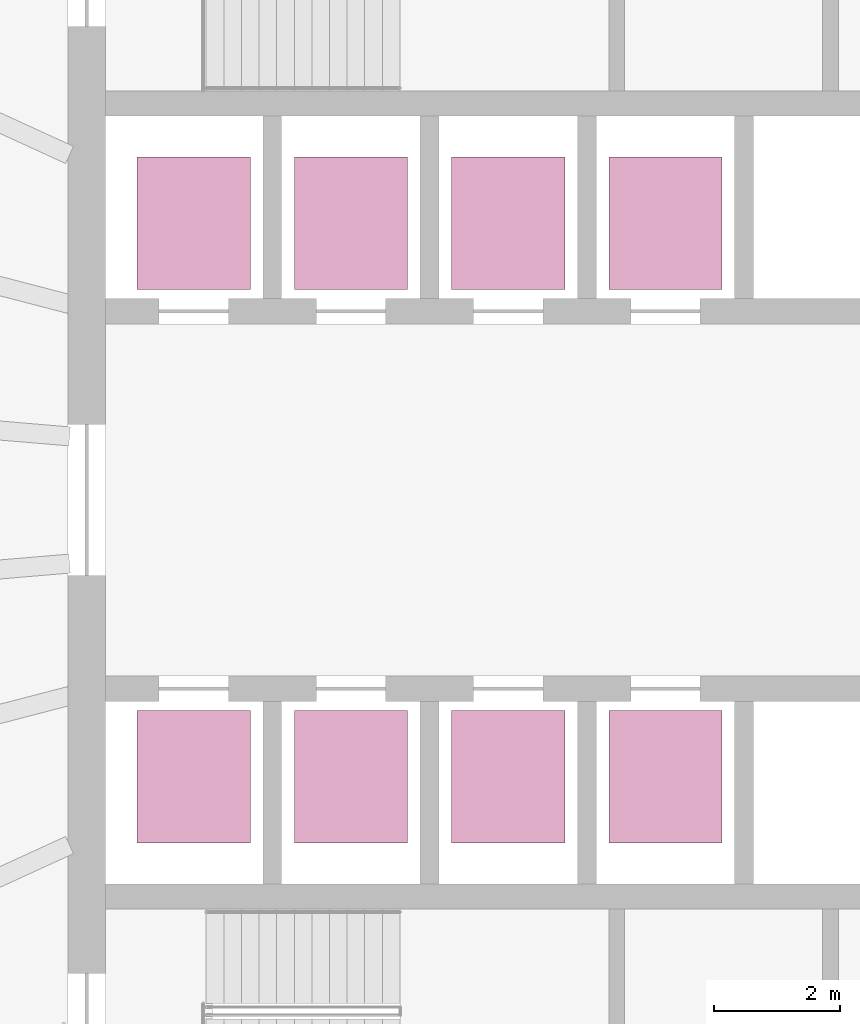
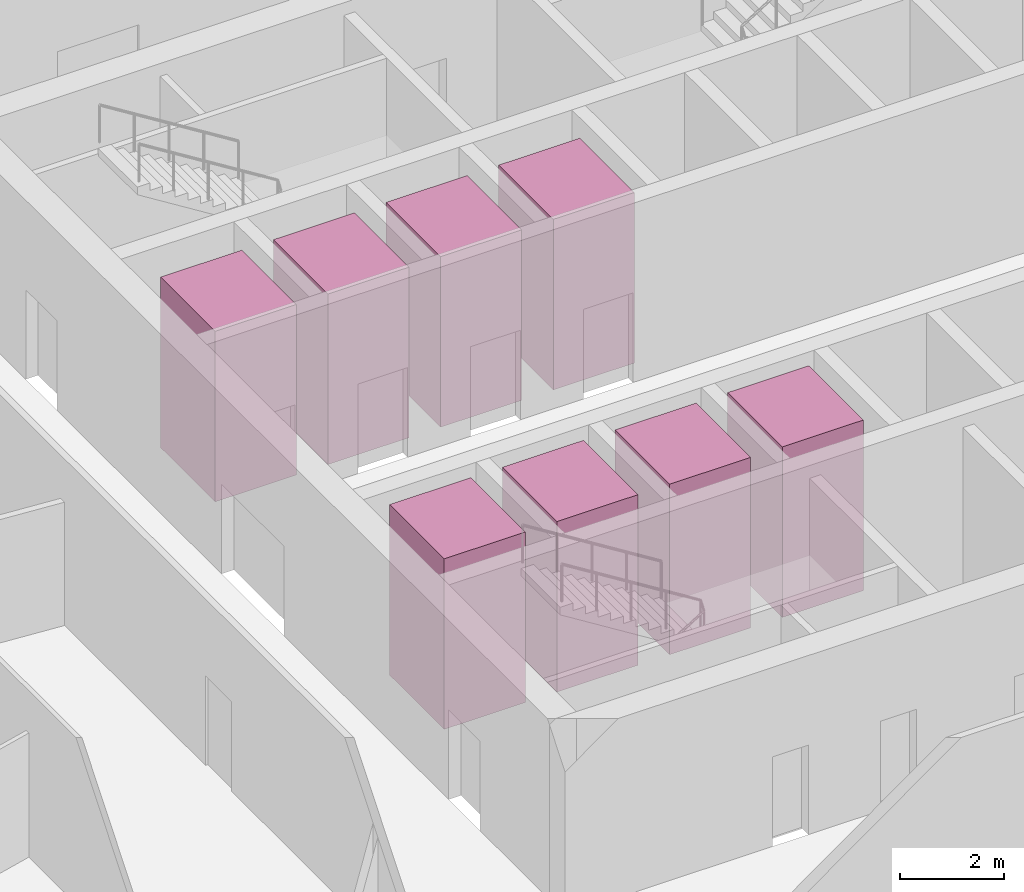
# One storey, part 11 of 11: 8 transport elements.
"""IFC4 building model written with IfcOpenShell, lengths in metres."""

import ifcopenshell
import ifcopenshell.guid

model = None  # the IFC model being written
_history = None  # IfcOwnerHistory: only IFC2X3 demands one
_inside = {}  # id of a spatial element -> (the spatial element, [elements in it])
_under = {}  # id of a project, library or spatial element -> (it, [spatial elements below it])
_declared = {}  # id of a project -> (the project, [libraries it declares])
_typed = {}  # id of a type object -> (the type object, [elements of that type])
_made_of = {}  # id of a material, layer set ... -> (it, [elements and type objects made of it])


def new_model(schema):
    """Start an empty IFC model of exactly this schema.

    Asked for "IFC4X3", IfcOpenShell would pick the latest addendum, in which some entities
    have other attributes; the version numbers below select the first issue.
    IFC2X3 requires an IfcOwnerHistory on every rooted entity: one is made here for all.
    """
    global model, _history
    if schema == "IFC4X3":
        model = ifcopenshell.file(schema_version=(4, 3, 0, 0))
    else:
        model = ifcopenshell.file(schema=schema)
    _inside.clear()
    _under.clear()
    _declared.clear()
    _typed.clear()
    _made_of.clear()
    _history = None
    if model.schema == "IFC2X3":
        org = make("IfcOrganization", Name="unknown")
        user = make(
            "IfcPersonAndOrganization",
            ThePerson=make("IfcPerson", FamilyName="unknown"),
            TheOrganization=org,
        )
        app = make(
            "IfcApplication",
            ApplicationDeveloper=org,
            Version="unknown",
            ApplicationFullName="unknown",
            ApplicationIdentifier="unknown",
        )
        _history = make(
            "IfcOwnerHistory",
            OwningUser=user,
            OwningApplication=app,
            ChangeAction="ADDED",
            CreationDate=0,
        )
    return model


def make(cls, **values):
    """One entity of the class cls with the attributes given. An attribute that is None is left unset."""
    return model.create_entity(
        cls, **{name: value for name, value in values.items() if value is not None}
    )


def rooted(cls, **values):
    """An entity with a GlobalId (a new one), such as an element, a storey or a relation."""
    return make(cls, GlobalId=ifcopenshell.guid.new(), OwnerHistory=_history, **values)


def si_unit(unit_type, name, prefix=None):
    """IfcSIUnit, for example si_unit("LENGTHUNIT", "METRE", prefix="MILLI")."""
    return make("IfcSIUnit", UnitType=unit_type, Prefix=prefix, Name=name)


def assignment(units):
    """IfcUnitAssignment: the units of a project."""
    return None if units is None else make("IfcUnitAssignment", Units=units)


def point(xyz):
    """IfcCartesianPoint."""
    return None if xyz is None else make("IfcCartesianPoint", Coordinates=xyz)


def direction(xyz):
    """IfcDirection."""
    return None if xyz is None else make("IfcDirection", DirectionRatios=xyz)


def frame(location, z_axis=None, x_axis=None):
    """IfcAxis2Placement3D, a coordinate frame: its origin and axes. An axis left out is left unset."""
    return make(
        "IfcAxis2Placement3D",
        Location=point(location),
        Axis=direction(z_axis),
        RefDirection=direction(x_axis),
    )


def frame_2d(location, x_axis=None):
    """IfcAxis2Placement2D, a coordinate frame in the plane: its origin and x axis."""
    return make(
        "IfcAxis2Placement2D", Location=point(location), RefDirection=direction(x_axis)
    )


def origin():
    """The frame at (0, 0, 0) with its axes left unset."""
    return frame((0.0, 0.0, 0.0))


def origin_2d():
    """The frame at (0, 0) in the plane with its x axis left unset."""
    return frame_2d((0.0, 0.0))


def place(relative_to, where):
    """IfcLocalPlacement: puts the frame where relative to a parent placement (None: the world)."""
    return make(
        "IfcLocalPlacement", PlacementRelTo=relative_to, RelativePlacement=where
    )


def context(
    kind, dimensions, precision=None, world=None, true_north=None, identifier=None
):
    """IfcGeometricRepresentationContext, for example the 3D "Model" context."""
    return make(
        "IfcGeometricRepresentationContext",
        ContextIdentifier=identifier,
        ContextType=kind,
        CoordinateSpaceDimension=dimensions,
        Precision=precision,
        WorldCoordinateSystem=world,
        TrueNorth=true_north,
    )


def subcontext(parent, identifier, kind, view, scale=None):
    """IfcGeometricRepresentationSubContext, for example "Body" below "Model"."""
    return make(
        "IfcGeometricRepresentationSubContext",
        ContextIdentifier=identifier,
        ContextType=kind,
        ParentContext=parent,
        TargetScale=scale,
        TargetView=view,
    )


def project(units=None, contexts=None):
    """IfcProject with its units and contexts."""
    return rooted(
        "IfcProject",
        Name="project",
        RepresentationContexts=contexts,
        UnitsInContext=assignment(units),
    )


def spatial(cls, under=None, at=None, **own):
    """A site, building, storey or space (cls), placed at a placement, below another one or the project."""
    s = rooted(cls, ObjectPlacement=at, **own)
    if under is not None:
        _under.setdefault(under.id(), (under, []))[1].append(s)
    return s


def profile(cls, at=None, kind="AREA", **sizes):
    """A parametric profile (cls). Its sizes go by their IFC names, for example OverallWidth=200.0."""
    return make(cls, ProfileType=kind, Position=at, **sizes)


def rectangle(**sizes):
    """IfcRectangleProfileDef."""
    return profile("IfcRectangleProfileDef", **sizes)


def extrude(swept, where, along, depth):
    """IfcExtrudedAreaSolid: the profile swept, set in the frame where, extruded along a direction by depth."""
    return make(
        "IfcExtrudedAreaSolid",
        SweptArea=swept,
        Position=where,
        ExtrudedDirection=direction(along),
        Depth=depth,
    )


def shape(context_of_items, identifier, shape_type, items):
    """IfcShapeRepresentation: the items that make up one representation, for example the "Body"."""
    return make(
        "IfcShapeRepresentation",
        ContextOfItems=context_of_items,
        RepresentationIdentifier=identifier,
        RepresentationType=shape_type,
        Items=items,
    )


def material(Name=None, Category=None):
    """IfcMaterial."""
    return make("IfcMaterial", Name=Name, Category=Category)


def made_of(thing, what):
    """Note that an element or type object is made of a material, layer set ...; save() writes the relation."""
    if what is not None:
        _made_of.setdefault(what.id(), (what, []))[1].append(thing)
    return thing


def type_object(cls, material=None, **own):
    """A type object (cls), such as IfcWallType, which elements share."""
    return made_of(rooted(cls, **own), material)


def element(
    cls,
    number,
    at=None,
    inside=None,
    cuts=None,
    type_object=None,
    material=None,
    context=None,
    identifier="Body",
    shape_type=None,
    held_by="IfcProductDefinitionShape",
    body=None,
    shapes=None,
    **own,
):
    """One element of the class cls, such as IfcWall. Its Tag is "e" and its number.

    at: its placement. inside: the storey or other place that contains it. cuts: it is an
    opening in that element (IfcRelVoidsElement). A single representation is given by context,
    identifier, shape_type and body (its items); several are given by shapes. held_by: the class
    of the entity that holds the representations. save() writes the other relations.
    """
    e = rooted(cls, Tag="e%d" % number, ObjectPlacement=at, **own)
    if body is not None:
        shapes = [shape(context, identifier, shape_type, body)]
    if shapes is not None:
        e.Representation = make(held_by, Representations=shapes)
    if inside is not None:
        _inside.setdefault(inside.id(), (inside, []))[1].append(e)
    if cuts is not None:
        rooted(
            "IfcRelVoidsElement", RelatingBuildingElement=cuts, RelatedOpeningElement=e
        )
    if type_object is not None:
        _typed.setdefault(type_object.id(), (type_object, []))[1].append(e)
    return made_of(e, material)


def aggregate(whole, parts):
    """IfcRelAggregates: a whole, such as a stair, and the parts it consists of."""
    return rooted("IfcRelAggregates", RelatingObject=whole, RelatedObjects=parts)


def save(model, path):
    """Write the relations noted so far, then the file.

    IfcRelAggregates (storeys below a building ...), IfcRelContainedInSpatialStructure (elements
    in a storey), IfcRelDefinesByType, IfcRelAssociatesMaterial and IfcRelDeclares: one each for
    every whole, place, type object, material and project.
    """
    for whole, parts in _under.values():
        aggregate(whole, parts)
    for where, things in _inside.values():
        rooted(
            "IfcRelContainedInSpatialStructure",
            RelatedElements=things,
            RelatingStructure=where,
        )
    for kind, things in _typed.values():
        rooted("IfcRelDefinesByType", RelatedObjects=things, RelatingType=kind)
    for what, things in _made_of.values():
        rooted("IfcRelAssociatesMaterial", RelatedObjects=things, RelatingMaterial=what)
    for by, libraries in _declared.values():
        rooted("IfcRelDeclares", RelatingContext=by, RelatedDefinitions=libraries)
    model.write(path)


model = new_model("IFC4")

# Units and contexts
model_context = context("Model", 3, precision=1e-05, world=origin(), true_north=direction((0.0, 1.0)))
body_context = subcontext(model_context, "Body", "Model", "MODEL_VIEW")
ifc_project = project(units=[si_unit("LENGTHUNIT", "METRE"), si_unit("AREAUNIT", "SQUARE_METRE"), si_unit("VOLUMEUNIT", "CUBIC_METRE"), si_unit("PLANEANGLEUNIT", "RADIAN"), si_unit("MASSUNIT", "GRAM", prefix="KILO")], contexts=[model_context])

# Site, building, storey
site_placement = place(None, origin())
site = spatial("IfcSite", under=ifc_project, at=site_placement, CompositionType="ELEMENT")
building_placement = place(site_placement, origin())
building = spatial("IfcBuilding", under=site, at=building_placement, Name="Halqa Exchange Tower", CompositionType="ELEMENT")
storey_placement = place(building_placement, frame((0.0, 0.0, 78.10009765625)))
storey = spatial("IfcBuildingStorey", under=building, at=storey_placement, Name="L17", CompositionType="ELEMENT", Elevation=78.10009765625)

# Transport elements
ifc_material = material(Name="Stainless steel", Category="steel")
transport_element_type = type_object("IfcTransportElementType", Name="Low-rise passenger lift 1800 x 2100", PredefinedType="ELEVATOR", material=ifc_material)
for number, where, z_axis, x_axis, name in (
    (1, (-10.0, 4.39990234375, 0.0), (0.0, 0.0, 1.0), (1.0, 0.0, 0.0), "Low-rise passenger lift LR1"),
    (2, (-7.5, 4.39990234375, 0.0), (0.0, 0.0, 1.0), (1.0, 0.0, 0.0), "Low-rise passenger lift LR2"),
    (3, (-5.0, 4.39990234375, 0.0), (0.0, 0.0, 1.0), (1.0, 0.0, 0.0), "Low-rise passenger lift LR3"),
    (4, (-2.5, 4.39990234375, 0.0), (0.0, 0.0, 1.0), (1.0, 0.0, 0.0), "Low-rise passenger lift LR4"),
    (5, (-10.0, -4.39990234375, 0.0), (0.0, 0.0, 1.0), (1.0, 0.0, 0.0), "Low-rise passenger lift LR5"),
    (6, (-7.5, -4.39990234375, 0.0), (0.0, 0.0, 1.0), (1.0, 0.0, 0.0), "Low-rise passenger lift LR6"),
    (7, (-5.0, -4.39990234375, 0.0), (0.0, 0.0, 1.0), (1.0, 0.0, 0.0), "Low-rise passenger lift LR7"),
    (8, (-2.5, -4.39990234375, 0.0), (0.0, 0.0, 1.0), (1.0, 0.0, 0.0), "Low-rise passenger lift LR8"),
):
    element("IfcTransportElement", number, at=place(storey_placement, frame(where, z_axis=z_axis, x_axis=x_axis)), inside=storey, type_object=transport_element_type, Name=name, PredefinedType="ELEVATOR", context=body_context, shape_type="SweptSolid", body=[
        extrude(rectangle(XDim=1.800048828125, YDim=2.10009765625, at=origin_2d()), origin(), (0.0, 0.0, 1.0), 4.0),
    ])

save(model, "model.ifc")
